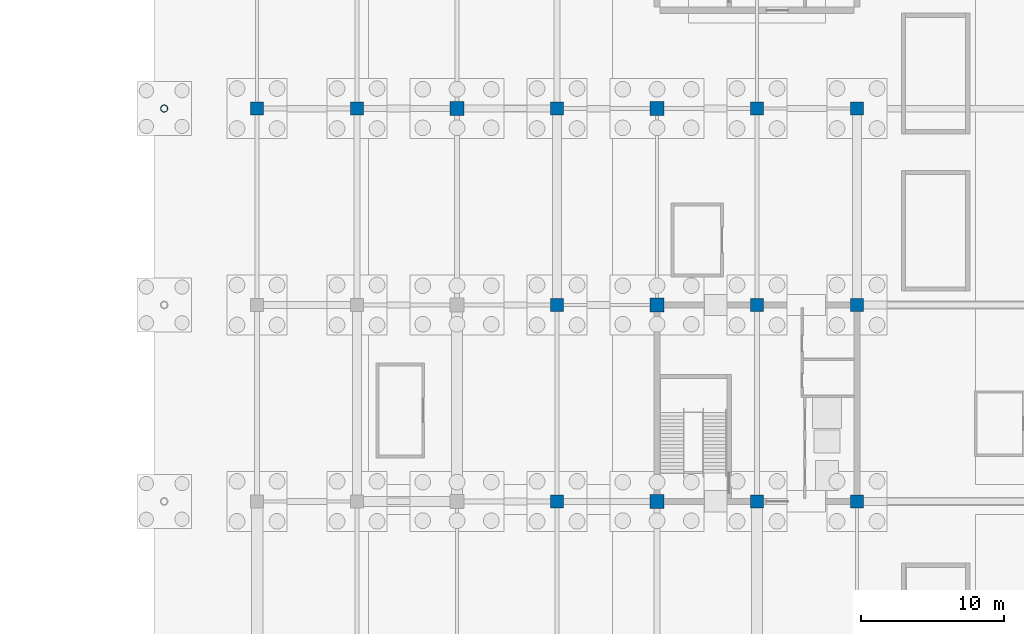
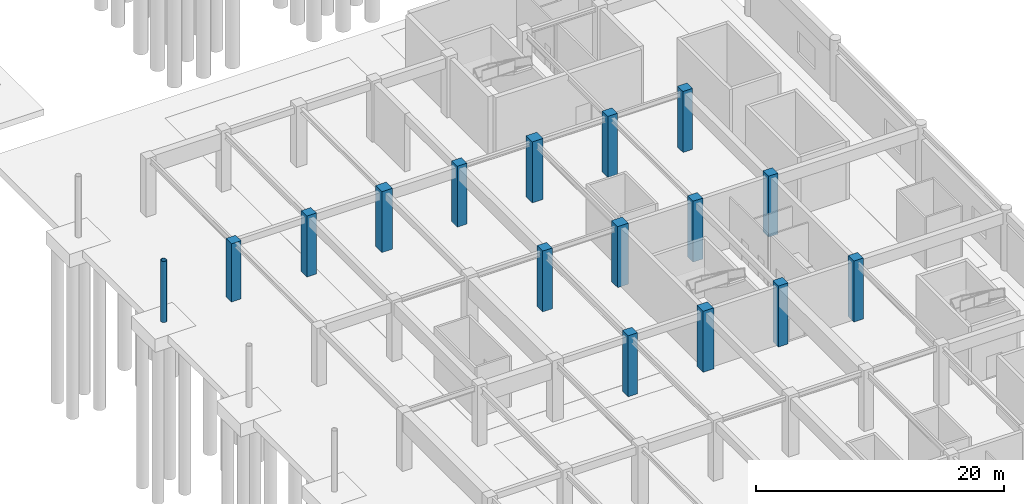
# One storey, part 21 of 62: 16 columns.
"""IFC4 building model written with IfcOpenShell, lengths in metres."""

from ifc_helpers import new_model, si_unit, direction, frame, origin, origin_2d, place, context, subcontext, project, spatial, rectangle, hollow_circle, extrude, material, material_profile, profile_set, type_object, element, save


model = new_model("IFC4")

# Units and contexts
model_context = context("Model", 3, precision=1e-05, world=origin(), true_north=direction((0.0, 1.0)))
body_context = subcontext(model_context, "Body", "Model", "MODEL_VIEW")
ifc_project = project(units=[si_unit("LENGTHUNIT", "METRE"), si_unit("AREAUNIT", "SQUARE_METRE"), si_unit("VOLUMEUNIT", "CUBIC_METRE"), si_unit("PLANEANGLEUNIT", "RADIAN"), si_unit("MASSUNIT", "GRAM", prefix="KILO")], contexts=[model_context])

# Site, building, storey
site_placement = place(None, origin())
site = spatial("IfcSite", under=ifc_project, at=site_placement, CompositionType="ELEMENT")
building_placement = place(site_placement, origin())
building = spatial("IfcBuilding", under=site, at=building_placement, Name="Linyun Crest Stadium", CompositionType="ELEMENT")
storey_placement = place(building_placement, frame((0.0, 0.0, -6.0)))
storey = spatial("IfcBuildingStorey", under=building, at=storey_placement, Name="B1", CompositionType="ELEMENT", Elevation=-6.0)

# Columns
ifc_material_1 = material(Name="Concrete C50", Category="concrete")
ifc_material_profile_1 = material_profile(ifc_material_1, rectangle(XDim=0.89990234375, YDim=0.89990234375, at=origin_2d()), Name="RC 900x900")
ifc_profile_set_1 = profile_set([ifc_material_profile_1], Name="Concrete C50")
column_type_1 = type_object("IfcColumnType", Name="C04", PredefinedType="COLUMN", material=ifc_profile_set_1)
column_1_placement = place(storey_placement, frame((42.0, 29.625, 0.0), z_axis=(0.0, 0.0, 1.0), x_axis=(1.0, 0.0, 0.0)))
element("IfcColumn", 1, at=column_1_placement, inside=storey, type_object=column_type_1, Name="Column C04 B1 303", PredefinedType="COLUMN", context=body_context, shape_type="SweptSolid", body=[
    extrude(rectangle(XDim=0.89990234375, YDim=0.89990234375, at=origin_2d()), origin(), (0.0, 0.0, 1.0), 5.719970703125),
])
for number, where, z_axis, x_axis, name in (
    (2, (49.0, 29.625, 0.0), (0.0, 0.0, 1.0), (1.0, 0.0, 0.0), "Column C04 B1 317"),
    (3, (63.0, 2.125, 0.0), (0.0, 0.0, 1.0), (1.0, 0.0, 0.0), "Column C04 B1 373"),
    (4, (63.0, 15.875, 0.0), (0.0, 0.0, 1.0), (1.0, 0.0, 0.0), "Column C04 B1 378"),
    (5, (63.0, 29.625, 0.0), (0.0, 0.0, 1.0), (1.0, 0.0, 0.0), "Column C04 B1 383"),
    (6, (77.0, 2.125, 0.0), (0.0, 0.0, 1.0), (1.0, 0.0, 0.0), "Column C04 B1 461"),
    (7, (77.0, 15.875, 0.0), (0.0, 0.0, 1.0), (1.0, 0.0, 0.0), "Column C04 B1 466"),
    (8, (77.0, 29.625, 0.0), (0.0, 0.0, 1.0), (1.0, 0.0, 0.0), "Column C04 B1 471"),
    (9, (84.0, 2.125, 0.0), (0.0, 0.0, 1.0), (1.0, 0.0, 0.0), "Column C04 B1 505"),
    (10, (84.0, 15.875, 0.0), (0.0, 0.0, 1.0), (1.0, 0.0, 0.0), "Column C04 B1 511"),
    (11, (84.0, 29.625, 0.0), (0.0, 0.0, 1.0), (1.0, 0.0, 0.0), "Column C04 B1 517"),
):
    element("IfcColumn", number, at=place(storey_placement, frame(where, z_axis=z_axis, x_axis=x_axis)), inside=storey, type_object=column_type_1, Name=name, PredefinedType="COLUMN", context=body_context, shape_type="SweptSolid", body=[
        extrude(rectangle(XDim=0.89990234375, YDim=0.89990234375, at=origin_2d()), origin(), (0.0, 0.0, 1.0), 5.998046875),
    ])
ifc_material_2 = material(Name="Concrete C50", Category="concrete")
ifc_material_profile_2 = material_profile(ifc_material_2, rectangle(XDim=1.0, YDim=1.0, at=origin_2d()), Name="RC 1000x1000")
ifc_profile_set_2 = profile_set([ifc_material_profile_2], Name="Concrete C50")
column_type_2 = type_object("IfcColumnType", Name="C05", PredefinedType="COLUMN", material=ifc_profile_set_2)
for number, where, z_axis, x_axis, name in (
    (12, (56.0, 29.625, 0.0), (0.0, 0.0, 1.0), (1.0, 0.0, 0.0), "Column C05 B1 345"),
    (13, (70.0, 2.125, 0.0), (0.0, 0.0, 1.0), (1.0, 0.0, 0.0), "Column C05 B1 417"),
    (14, (70.0, 15.875, 0.0), (0.0, 0.0, 1.0), (1.0, 0.0, 0.0), "Column C05 B1 423"),
    (15, (70.0, 29.625, 0.0), (0.0, 0.0, 1.0), (1.0, 0.0, 0.0), "Column C05 B1 429"),
):
    element("IfcColumn", number, at=place(storey_placement, frame(where, z_axis=z_axis, x_axis=x_axis)), inside=storey, type_object=column_type_2, Name=name, PredefinedType="COLUMN", context=body_context, shape_type="SweptSolid", body=[
        extrude(rectangle(XDim=1.0, YDim=1.0, at=origin_2d()), origin(), (0.0, 0.0, 1.0), 5.998046875),
    ])
ifc_material_3 = material(Name="Steel Q355C", Category="steel")
ifc_material_profile_3 = material_profile(ifc_material_3, hollow_circle(Radius=0.25390625, WallThickness=0.02490234375, at=origin_2d()), Name="CHS 508x25")
ifc_profile_set_3 = profile_set([ifc_material_profile_3], Name="Steel Q355C")
column_type_3 = type_object("IfcColumnType", Name="SC05", PredefinedType="COLUMN", material=ifc_profile_set_3)
column_2_placement = place(storey_placement, frame((35.5, 29.625, 0.0), z_axis=(0.0, 0.0, 1.0), x_axis=(1.0, 0.0, 0.0)))
element("IfcColumn", 16, at=column_2_placement, inside=storey, type_object=column_type_3, Name="Arch colonnade column SC05 B1 30", PredefinedType="COLUMN", context=body_context, shape_type="SweptSolid", body=[
    extrude(hollow_circle(Radius=0.25390625, WallThickness=0.02490234375, at=origin_2d()), origin(), (0.0, 0.0, 1.0), 6.0),
])

save(model, "model.ifc")
